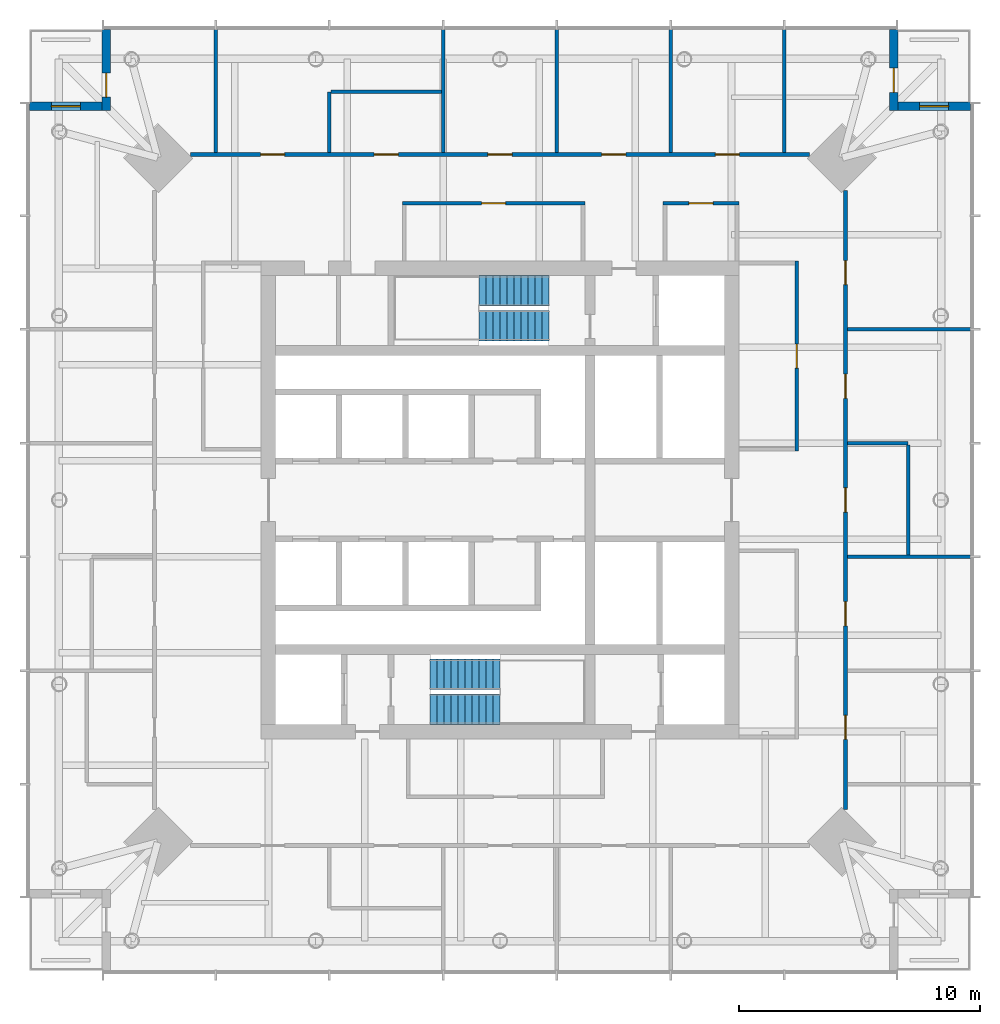
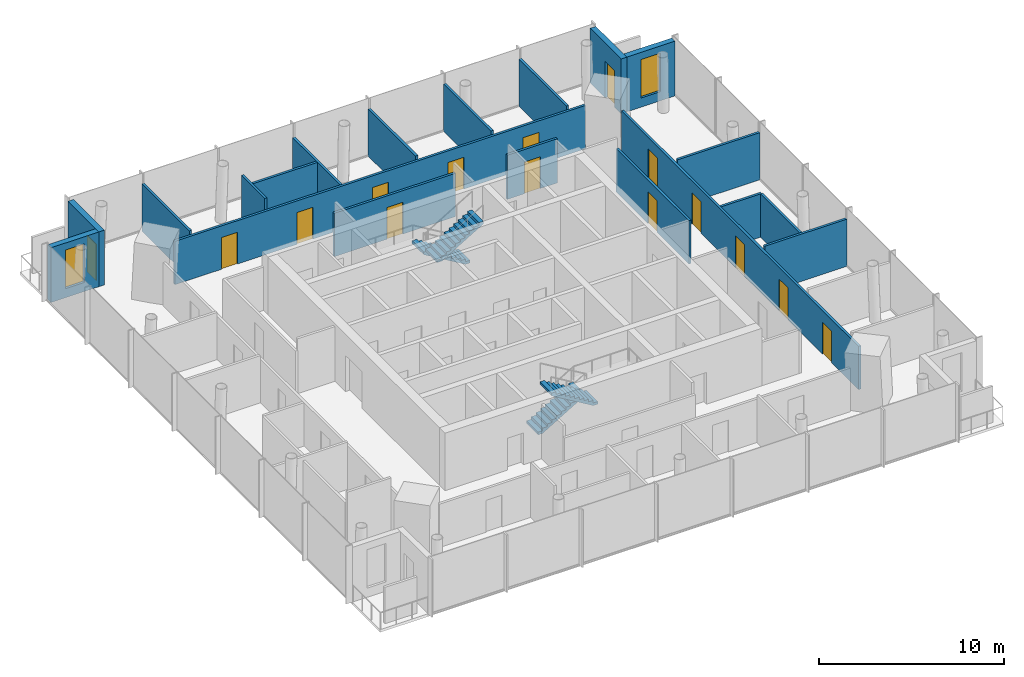
# One storey, part 6 of 7: 20 walls, 15 doors, 4 stair flights, 2 windows, 17 openings, 2 elements without a shape of their own.
"""IFC4 building model written with IfcOpenShell, lengths in metres."""

from ifc_helpers import new_model, si_unit, direction, frame, frame_2d, origin, place, context, subcontext, project, spatial, polyline, rectangle, outline, extrude, material, layer, layer_set, type_object, element, fill, aggregate, save


model = new_model("IFC4")

# Units and contexts
model_context = context("Model", 3, precision=1e-05, world=origin(), true_north=direction((0.0, 1.0)))
body_context = subcontext(model_context, "Body", "Model", "MODEL_VIEW")
ifc_project = project(units=[si_unit("LENGTHUNIT", "METRE"), si_unit("AREAUNIT", "SQUARE_METRE"), si_unit("VOLUMEUNIT", "CUBIC_METRE"), si_unit("PLANEANGLEUNIT", "RADIAN"), si_unit("MASSUNIT", "GRAM", prefix="KILO")], contexts=[model_context])

# Site, building, storey
site_placement = place(None, origin())
site = spatial("IfcSite", under=ifc_project, at=site_placement, CompositionType="ELEMENT")
building_placement = place(site_placement, origin())
building = spatial("IfcBuilding", under=site, at=building_placement, Name="Ostroluk Exchange", CompositionType="ELEMENT")
storey_placement = place(building_placement, frame((0.0, 0.0, 199.60009765625)))
storey = spatial("IfcBuildingStorey", under=building, at=storey_placement, Name="L51", CompositionType="ELEMENT", Elevation=199.60009765625)

# Wall, opening, door
ifc_material_1 = material(Name="Limestone", Category="masonry")
ifc_layer_1 = layer(ifc_material_1, 0.35009765625)
ifc_layer_set_1 = layer_set([ifc_layer_1], Name="Limestone facade wall 350")
wall_type_1 = type_object("IfcWallType", Name="Limestone facade wall 350", PredefinedType="SOLIDWALL", material=ifc_layer_set_1)
wall_1_placement = place(storey_placement, frame((61.324951171875, 65.5, 0.0), z_axis=(0.0, 0.0, 1.0), x_axis=(0.0, -1.0, 0.0)))
wall_1 = element("IfcWall", 1, at=wall_1_placement, inside=storey, type_object=wall_type_1, Name="Office tower NE corner wall L51 a", PredefinedType="SOLIDWALL", context=body_context, shape_type="SweptSolid", body=[
    extrude(rectangle(XDim=3.35009765625, YDim=0.35009765625, at=frame_2d((1.675048828125, 0.0))), origin(), (0.0, 0.0, 1.0), 3.619873046875),
])
opening_1_placement = place(wall_1_placement, frame((1.60009765625, 0.0, 0.0)))
opening_1 = element("IfcOpeningElement", 2, at=opening_1_placement, cuts=wall_1, Name="Opening D-B1", PredefinedType="OPENING", context=body_context, shape_type="SweptSolid", body=[
    extrude(rectangle(XDim=1.0, YDim=2.39990234375, at=frame_2d((0.5, 1.199951171875))), frame((0.0, 0.18505859375, 0.0), z_axis=(0.0, -1.0, 0.0), x_axis=(1.0, 0.0, 0.0)), (0.0, 0.0, 1.0), 0.3701171875),
])
ifc_material_2 = material(Name="Bronze framed glazed door", Category="aluminium")
door_type_1 = type_object("IfcDoorType", Name="Balcony door 1000 x 2400", OperationType="SINGLE_SWING_LEFT", PredefinedType="DOOR", material=ifc_material_2)
door_1_placement = place(opening_1_placement, origin())
door_1 = element("IfcDoor", 3, at=door_1_placement, inside=storey, type_object=door_type_1, Name="Office tower NE balcony door L51", OperationType="SINGLE_SWING_RIGHT", OverallHeight=2.39990234375, OverallWidth=1.0, PredefinedType="DOOR", context=body_context, shape_type="SweptSolid", body=[
    extrude(rectangle(XDim=1.0, YDim=2.39990234375, at=frame_2d((0.5, 1.199951171875))), frame((0.0, 0.02490234375, 0.0), z_axis=(0.0, -1.0, 0.0), x_axis=(1.0, 0.0, 0.0)), (0.0, 0.0, 1.0), 0.050048828125),
])
fill(opening_1, door_1)

# Wall, opening, window
wall_2_placement = place(storey_placement, frame((61.5, 62.324951171875, 0.0), z_axis=(0.0, 0.0, 1.0), x_axis=(1.0, 0.0, 0.0)))
wall_2 = element("IfcWall", 4, at=wall_2_placement, inside=storey, type_object=wall_type_1, Name="Office tower NE corner wall L51 b", PredefinedType="SOLIDWALL", context=body_context, shape_type="SweptSolid", body=[
    extrude(rectangle(XDim=3.0, YDim=0.35009765625, at=frame_2d((1.5, 0.0))), origin(), (0.0, 0.0, 1.0), 3.619873046875),
])
opening_2_placement = place(wall_2_placement, frame((0.89990234375, 0.0, 0.60009765625)))
opening_2 = element("IfcOpeningElement", 5, at=opening_2_placement, cuts=wall_2, Name="Opening WN-L1", PredefinedType="OPENING", context=body_context, shape_type="SweptSolid", body=[
    extrude(rectangle(XDim=1.199951171875, YDim=2.550048828125, at=frame_2d((0.60009765625, 1.27490234375))), frame((0.0, 0.18505859375, 0.0), z_axis=(0.0, -1.0, 0.0), x_axis=(1.0, 0.0, 0.0)), (0.0, 0.0, 1.0), 0.3701171875),
])
ifc_material_3 = material(Name="Laminated clear glass", Category="glass")
window_type = type_object("IfcWindowType", Name="Lancet window 1200 x 2550", PartitioningType="SINGLE_PANEL", PredefinedType="WINDOW", material=ifc_material_3)
window_1_placement = place(opening_2_placement, origin())
window_1 = element("IfcWindow", 6, at=window_1_placement, inside=storey, type_object=window_type, Name="Office tower NE lancet window L51", OverallHeight=2.550048828125, OverallWidth=1.199951171875, PartitioningType="SINGLE_PANEL", PredefinedType="WINDOW", context=body_context, shape_type="SweptSolid", body=[
    extrude(rectangle(XDim=1.199951171875, YDim=2.550048828125, at=frame_2d((0.60009765625, 1.27490234375))), frame((0.0, 0.030029296875, 0.0), z_axis=(0.0, -1.0, 0.0), x_axis=(1.0, 0.0, 0.0)), (0.0, 0.0, 1.0), 0.06005859375),
])
fill(opening_2, window_1)

# Wall, opening, door
wall_3_placement = place(storey_placement, frame((28.675048828125, 65.5, 0.0), z_axis=(0.0, 0.0, 1.0), x_axis=(0.0, -1.0, 0.0)))
wall_3 = element("IfcWall", 7, at=wall_3_placement, inside=storey, type_object=wall_type_1, Name="Office tower NW corner wall L51 a", PredefinedType="SOLIDWALL", context=body_context, shape_type="SweptSolid", body=[
    extrude(rectangle(XDim=3.35009765625, YDim=0.35009765625, at=frame_2d((1.675048828125, 0.0))), origin(), (0.0, 0.0, 1.0), 3.619873046875),
])
opening_3_placement = place(wall_3_placement, frame((1.800048828125, 0.0, 0.0)))
opening_3 = element("IfcOpeningElement", 8, at=opening_3_placement, cuts=wall_3, Name="Opening D-B1", PredefinedType="OPENING", context=body_context, shape_type="SweptSolid", body=[
    extrude(rectangle(XDim=1.0, YDim=2.39990234375, at=frame_2d((0.5, 1.199951171875))), frame((0.0, 0.18505859375, 0.0), z_axis=(0.0, -1.0, 0.0), x_axis=(1.0, 0.0, 0.0)), (0.0, 0.0, 1.0), 0.3701171875),
])
door_2_placement = place(opening_3_placement, origin())
door_2 = element("IfcDoor", 9, at=door_2_placement, inside=storey, type_object=door_type_1, Name="Office tower NW balcony door L51", OperationType="SINGLE_SWING_RIGHT", OverallHeight=2.39990234375, OverallWidth=1.0, PredefinedType="DOOR", context=body_context, shape_type="SweptSolid", body=[
    extrude(rectangle(XDim=1.0, YDim=2.39990234375, at=frame_2d((0.5, 1.199951171875))), frame((0.0, 0.02490234375, 0.0), z_axis=(0.0, -1.0, 0.0), x_axis=(1.0, 0.0, 0.0)), (0.0, 0.0, 1.0), 0.050048828125),
])
fill(opening_3, door_2)

# Wall, opening, window
wall_4_placement = place(storey_placement, frame((28.5, 62.324951171875, 0.0), z_axis=(0.0, 0.0, 1.0), x_axis=(-1.0, 0.0, 0.0)))
wall_4 = element("IfcWall", 10, at=wall_4_placement, inside=storey, type_object=wall_type_1, Name="Office tower NW corner wall L51 b", PredefinedType="SOLIDWALL", context=body_context, shape_type="SweptSolid", body=[
    extrude(rectangle(XDim=3.0, YDim=0.35009765625, at=frame_2d((1.5, 0.0))), origin(), (0.0, 0.0, 1.0), 3.619873046875),
])
opening_4_placement = place(wall_4_placement, frame((0.89990234375, 0.0, 0.60009765625)))
opening_4 = element("IfcOpeningElement", 11, at=opening_4_placement, cuts=wall_4, Name="Opening WN-L1", PredefinedType="OPENING", context=body_context, shape_type="SweptSolid", body=[
    extrude(rectangle(XDim=1.199951171875, YDim=2.550048828125, at=frame_2d((0.60009765625, 1.27490234375))), frame((0.0, 0.18505859375, 0.0), z_axis=(0.0, -1.0, 0.0), x_axis=(1.0, 0.0, 0.0)), (0.0, 0.0, 1.0), 0.3701171875),
])
window_2_placement = place(opening_4_placement, origin())
window_2 = element("IfcWindow", 12, at=window_2_placement, inside=storey, type_object=window_type, Name="Office tower NW lancet window L51", OverallHeight=2.550048828125, OverallWidth=1.199951171875, PartitioningType="SINGLE_PANEL", PredefinedType="WINDOW", context=body_context, shape_type="SweptSolid", body=[
    extrude(rectangle(XDim=1.199951171875, YDim=2.550048828125, at=frame_2d((0.60009765625, 1.27490234375))), frame((0.0, 0.030029296875, 0.0), z_axis=(0.0, -1.0, 0.0), x_axis=(1.0, 0.0, 0.0)), (0.0, 0.0, 1.0), 0.06005859375),
])
fill(opening_4, window_2)

# Wall, opening, door
ifc_material_4 = material(Name="Gypsum plasterboard partition", Category="gypsum")
ifc_layer_2 = layer(ifc_material_4, 0.14990234375)
ifc_layer_set_2 = layer_set([ifc_layer_2], Name="Plasterboard partition 150")
wall_type_2 = type_object("IfcWallType", Name="Plasterboard partition 150", PredefinedType="PARTITIONING", material=ifc_layer_set_2)
wall_5_placement = place(storey_placement, frame((57.300048828125, 48.02490234375, 0.0), z_axis=(0.0, 0.0, 1.0), x_axis=(0.0, 1.0, 0.0)))
wall_5 = element("IfcWall", 13, at=wall_5_placement, inside=storey, type_object=wall_type_2, Name="Partition", PredefinedType="PARTITIONING", context=body_context, shape_type="SweptSolid", body=[
    extrude(rectangle(XDim=7.875, YDim=0.14990234375, at=frame_2d((3.9375, 0.0))), origin(), (0.0, 0.0, 1.0), 2.866943359375),
])
opening_5_placement = place(wall_5_placement, frame((3.4375, 0.0, 0.0)))
opening_5 = element("IfcOpeningElement", 14, at=opening_5_placement, cuts=wall_5, Name="Opening D-03", PredefinedType="OPENING", context=body_context, shape_type="SweptSolid", body=[
    extrude(rectangle(XDim=1.0, YDim=2.10009765625, at=frame_2d((0.5, 1.050048828125))), frame((0.0, 0.0849609375, 0.0), z_axis=(0.0, -1.0, 0.0), x_axis=(1.0, 0.0, 0.0)), (0.0, 0.0, 1.0), 0.169921875),
])
ifc_material_5 = material(Name="Timber", Category="wood")
door_type_2 = type_object("IfcDoorType", Name="Internal door 1000 x 2100", OperationType="SINGLE_SWING_LEFT", PredefinedType="DOOR", material=ifc_material_5)
door_3_placement = place(opening_5_placement, origin())
door_3 = element("IfcDoor", 15, at=door_3_placement, inside=storey, type_object=door_type_2, Name="Staff room door", OperationType="SINGLE_SWING_LEFT", OverallHeight=2.10009765625, OverallWidth=1.0, PredefinedType="DOOR", context=body_context, shape_type="SweptSolid", body=[
    extrude(rectangle(XDim=1.0, YDim=2.10009765625, at=frame_2d((0.5, 1.050048828125))), frame((0.0, 0.02490234375, 0.0), z_axis=(0.0, -1.0, 0.0), x_axis=(1.0, 0.0, 0.0)), (0.0, 0.0, 1.0), 0.050048828125),
])
fill(opening_5, door_3)

wall_6_placement = place(storey_placement, frame((54.89990234375, 58.300048828125, 0.0), z_axis=(0.0, 0.0, 1.0), x_axis=(-1.0, 0.0, 0.0)))
wall_6 = element("IfcWall", 16, at=wall_6_placement, inside=storey, type_object=wall_type_2, Name="Partition", PredefinedType="PARTITIONING", context=body_context, shape_type="SweptSolid", body=[
    extrude(rectangle(XDim=3.135009765625, YDim=0.14990234375, at=frame_2d((1.5673828125, 0.0))), origin(), (0.0, 0.0, 1.0), 2.919921875),
])
opening_6_placement = place(wall_6_placement, frame((1.0673828125, 0.0, 0.0)))
opening_6 = element("IfcOpeningElement", 17, at=opening_6_placement, cuts=wall_6, Name="Opening D-03", PredefinedType="OPENING", context=body_context, shape_type="SweptSolid", body=[
    extrude(rectangle(XDim=1.0, YDim=2.10009765625, at=frame_2d((0.5, 1.050048828125))), frame((0.0, 0.0849609375, 0.0), z_axis=(0.0, -1.0, 0.0), x_axis=(1.0, 0.0, 0.0)), (0.0, 0.0, 1.0), 0.169921875),
])
door_4_placement = place(opening_6_placement, origin())
door_4 = element("IfcDoor", 18, at=door_4_placement, inside=storey, type_object=door_type_2, Name="Staff room door", OperationType="SINGLE_SWING_RIGHT", OverallHeight=2.10009765625, OverallWidth=1.0, PredefinedType="DOOR", context=body_context, shape_type="SweptSolid", body=[
    extrude(rectangle(XDim=1.0, YDim=2.10009765625, at=frame_2d((0.5, 1.050048828125))), frame((0.0, 0.02490234375, 0.0), z_axis=(0.0, -1.0, 0.0), x_axis=(1.0, 0.0, 0.0)), (0.0, 0.0, 1.0), 0.050048828125),
])
fill(opening_6, door_4)

wall_7_placement = place(storey_placement, frame((48.514892578125, 58.300048828125, 0.0), z_axis=(0.0, 0.0, 1.0), x_axis=(-1.0, 0.0, 0.0)))
wall_7 = element("IfcWall", 19, at=wall_7_placement, inside=storey, type_object=wall_type_2, Name="Partition", PredefinedType="PARTITIONING", context=body_context, shape_type="SweptSolid", body=[
    extrude(rectangle(XDim=7.56298828125, YDim=0.14990234375, at=frame_2d((3.781494140625, 0.0))), origin(), (0.0, 0.0, 1.0), 2.866943359375),
])
opening_7_placement = place(wall_7_placement, frame((3.281494140625, 0.0, 0.0)))
opening_7 = element("IfcOpeningElement", 20, at=opening_7_placement, cuts=wall_7, Name="Opening D-03", PredefinedType="OPENING", context=body_context, shape_type="SweptSolid", body=[
    extrude(rectangle(XDim=1.0, YDim=2.10009765625, at=frame_2d((0.5, 1.050048828125))), frame((0.0, 0.0849609375, 0.0), z_axis=(0.0, -1.0, 0.0), x_axis=(1.0, 0.0, 0.0)), (0.0, 0.0, 1.0), 0.169921875),
])
door_5_placement = place(opening_7_placement, origin())
door_5 = element("IfcDoor", 21, at=door_5_placement, inside=storey, type_object=door_type_2, Name="Staff room door", OperationType="SINGLE_SWING_LEFT", OverallHeight=2.10009765625, OverallWidth=1.0, PredefinedType="DOOR", context=body_context, shape_type="SweptSolid", body=[
    extrude(rectangle(XDim=1.0, YDim=2.10009765625, at=frame_2d((0.5, 1.050048828125))), frame((0.0, 0.02490234375, 0.0), z_axis=(0.0, -1.0, 0.0), x_axis=(1.0, 0.0, 0.0)), (0.0, 0.0, 1.0), 0.050048828125),
])
fill(opening_7, door_5)

# Wall
wall_8_placement = place(storey_placement, frame((61.925048828125, 43.7177734375, 0.0), z_axis=(0.0, 0.0, 1.0), x_axis=(0.0, 1.0, 0.0)))
element("IfcWall", 22, at=wall_8_placement, inside=storey, type_object=wall_type_2, Name="Partition", PredefinedType="PARTITIONING", context=body_context, shape_type="SweptSolid", body=[
    extrude(rectangle(XDim=4.564453125, YDim=0.14990234375, at=frame_2d((2.2822265625, 0.0))), origin(), (0.0, 0.0, 1.0), 2.866943359375),
])

# Wall, openings, doors
wall_9_placement = place(storey_placement, frame((59.324951171875, 33.164306640625, 0.0), z_axis=(0.0, 0.0, 1.0), x_axis=(0.0, 1.0, 0.0)))
wall_9 = element("IfcWall", 23, at=wall_9_placement, inside=storey, type_object=wall_type_2, Name="Partition", PredefinedType="PARTITIONING", context=body_context, shape_type="SweptSolid", body=[
    extrude(rectangle(XDim=25.67138671875, YDim=0.14990234375, at=frame_2d((12.835693359375, 0.0))), origin(), (0.0, 0.0, 1.0), 2.866943359375),
])
opening_8_placement = place(wall_9_placement, frame((2.9072265625, 0.0, 0.0)))
opening_8 = element("IfcOpeningElement", 24, at=opening_8_placement, cuts=wall_9, Name="Opening D-03", PredefinedType="OPENING", context=body_context, shape_type="SweptSolid", body=[
    extrude(rectangle(XDim=1.0, YDim=2.10009765625, at=frame_2d((0.5, 1.050048828125))), frame((0.0, 0.0849609375, 0.0), z_axis=(0.0, -1.0, 0.0), x_axis=(1.0, 0.0, 0.0)), (0.0, 0.0, 1.0), 0.169921875),
])
opening_9_placement = place(wall_9_placement, frame((7.62158203125, 0.0, 0.0)))
opening_9 = element("IfcOpeningElement", 25, at=opening_9_placement, cuts=wall_9, Name="Opening D-03", PredefinedType="OPENING", context=body_context, shape_type="SweptSolid", body=[
    extrude(rectangle(XDim=1.0, YDim=2.10009765625, at=frame_2d((0.5, 1.050048828125))), frame((0.0, 0.0849609375, 0.0), z_axis=(0.0, -1.0, 0.0), x_axis=(1.0, 0.0, 0.0)), (0.0, 0.0, 1.0), 0.169921875),
])
opening_10_placement = place(wall_9_placement, frame((12.335693359375, 0.0, 0.0)))
opening_10 = element("IfcOpeningElement", 26, at=opening_10_placement, cuts=wall_9, Name="Opening D-03", PredefinedType="OPENING", context=body_context, shape_type="SweptSolid", body=[
    extrude(rectangle(XDim=1.0, YDim=2.10009765625, at=frame_2d((0.5, 1.050048828125))), frame((0.0, 0.0849609375, 0.0), z_axis=(0.0, -1.0, 0.0), x_axis=(1.0, 0.0, 0.0)), (0.0, 0.0, 1.0), 0.169921875),
])
opening_11_placement = place(wall_9_placement, frame((17.050048828125, 0.0, 0.0)))
opening_11 = element("IfcOpeningElement", 27, at=opening_11_placement, cuts=wall_9, Name="Opening D-03", PredefinedType="OPENING", context=body_context, shape_type="SweptSolid", body=[
    extrude(rectangle(XDim=1.0, YDim=2.10009765625, at=frame_2d((0.5, 1.050048828125))), frame((0.0, 0.0849609375, 0.0), z_axis=(0.0, -1.0, 0.0), x_axis=(1.0, 0.0, 0.0)), (0.0, 0.0, 1.0), 0.169921875),
])
opening_12_placement = place(wall_9_placement, frame((21.764404296875, 0.0, 0.0)))
opening_12 = element("IfcOpeningElement", 28, at=opening_12_placement, cuts=wall_9, Name="Opening D-03", PredefinedType="OPENING", context=body_context, shape_type="SweptSolid", body=[
    extrude(rectangle(XDim=1.0, YDim=2.10009765625, at=frame_2d((0.5, 1.050048828125))), frame((0.0, 0.0849609375, 0.0), z_axis=(0.0, -1.0, 0.0), x_axis=(1.0, 0.0, 0.0)), (0.0, 0.0, 1.0), 0.169921875),
])
door_6_placement = place(opening_8_placement, origin())
door_6 = element("IfcDoor", 29, at=door_6_placement, inside=storey, type_object=door_type_2, Name="Office door", OperationType="SINGLE_SWING_LEFT", OverallHeight=2.10009765625, OverallWidth=1.0, PredefinedType="DOOR", context=body_context, shape_type="SweptSolid", body=[
    extrude(rectangle(XDim=1.0, YDim=2.10009765625, at=frame_2d((0.5, 1.050048828125))), frame((0.0, 0.02490234375, 0.0), z_axis=(0.0, -1.0, 0.0), x_axis=(1.0, 0.0, 0.0)), (0.0, 0.0, 1.0), 0.050048828125),
])
fill(opening_8, door_6)
door_7_placement = place(opening_9_placement, origin())
door_7 = element("IfcDoor", 30, at=door_7_placement, inside=storey, type_object=door_type_2, Name="Meeting room door", OperationType="SINGLE_SWING_LEFT", OverallHeight=2.10009765625, OverallWidth=1.0, PredefinedType="DOOR", context=body_context, shape_type="SweptSolid", body=[
    extrude(rectangle(XDim=1.0, YDim=2.10009765625, at=frame_2d((0.5, 1.050048828125))), frame((0.0, 0.02490234375, 0.0), z_axis=(0.0, -1.0, 0.0), x_axis=(1.0, 0.0, 0.0)), (0.0, 0.0, 1.0), 0.050048828125),
])
fill(opening_9, door_7)
door_8_placement = place(opening_10_placement, origin())
door_8 = element("IfcDoor", 31, at=door_8_placement, inside=storey, type_object=door_type_2, Name="Pantry door", OperationType="SINGLE_SWING_LEFT", OverallHeight=2.10009765625, OverallWidth=1.0, PredefinedType="DOOR", context=body_context, shape_type="SweptSolid", body=[
    extrude(rectangle(XDim=1.0, YDim=2.10009765625, at=frame_2d((0.5, 1.050048828125))), frame((0.0, 0.02490234375, 0.0), z_axis=(0.0, -1.0, 0.0), x_axis=(1.0, 0.0, 0.0)), (0.0, 0.0, 1.0), 0.050048828125),
])
fill(opening_10, door_8)
door_9_placement = place(opening_11_placement, origin())
door_9 = element("IfcDoor", 32, at=door_9_placement, inside=storey, type_object=door_type_2, Name="Office door", OperationType="SINGLE_SWING_RIGHT", OverallHeight=2.10009765625, OverallWidth=1.0, PredefinedType="DOOR", context=body_context, shape_type="SweptSolid", body=[
    extrude(rectangle(XDim=1.0, YDim=2.10009765625, at=frame_2d((0.5, 1.050048828125))), frame((0.0, 0.02490234375, 0.0), z_axis=(0.0, -1.0, 0.0), x_axis=(1.0, 0.0, 0.0)), (0.0, 0.0, 1.0), 0.050048828125),
])
fill(opening_11, door_9)
door_10_placement = place(opening_12_placement, origin())
door_10 = element("IfcDoor", 33, at=door_10_placement, inside=storey, type_object=door_type_2, Name="Office door", OperationType="SINGLE_SWING_RIGHT", OverallHeight=2.10009765625, OverallWidth=1.0, PredefinedType="DOOR", context=body_context, shape_type="SweptSolid", body=[
    extrude(rectangle(XDim=1.0, YDim=2.10009765625, at=frame_2d((0.5, 1.050048828125))), frame((0.0, 0.02490234375, 0.0), z_axis=(0.0, -1.0, 0.0), x_axis=(1.0, 0.0, 0.0)), (0.0, 0.0, 1.0), 0.050048828125),
])
fill(opening_12, door_10)

# Walls
wall_10_placement = place(storey_placement, frame((59.39990234375, 43.642822265625, 0.0), z_axis=(0.0, 0.0, 1.0), x_axis=(1.0, 0.0, 0.0)))
element("IfcWall", 34, at=wall_10_placement, inside=storey, type_object=wall_type_2, Name="Partition", PredefinedType="PARTITIONING", context=body_context, shape_type="SweptSolid", body=[
    extrude(rectangle(XDim=5.14013671875, YDim=0.14990234375, at=frame_2d((2.570068359375, 0.0))), origin(), (0.0, 0.0, 1.0), 3.119873046875),
])
wall_11_placement = place(storey_placement, frame((59.39990234375, 48.357177734375, 0.0), z_axis=(0.0, 0.0, 1.0), x_axis=(1.0, 0.0, 0.0)))
element("IfcWall", 35, at=wall_11_placement, inside=storey, type_object=wall_type_2, Name="Partition", PredefinedType="PARTITIONING", context=body_context, shape_type="SweptSolid", body=[
    extrude(rectangle(XDim=2.525146484375, YDim=0.14990234375, at=frame_2d((1.2626953125, 0.0))), origin(), (0.0, 0.0, 1.0), 2.866943359375),
])
wall_12_placement = place(storey_placement, frame((59.39990234375, 53.071533203125, 0.0), z_axis=(0.0, 0.0, 1.0), x_axis=(1.0, 0.0, 0.0)))
element("IfcWall", 36, at=wall_12_placement, inside=storey, type_object=wall_type_2, Name="Partition", PredefinedType="PARTITIONING", context=body_context, shape_type="SweptSolid", body=[
    extrude(rectangle(XDim=5.14013671875, YDim=0.14990234375, at=frame_2d((2.570068359375, 0.0))), origin(), (0.0, 0.0, 1.0), 3.119873046875),
])
wall_13_placement = place(storey_placement, frame((42.56787109375, 62.925048828125, 0.0), z_axis=(0.0, 0.0, 1.0), x_axis=(-1.0, 0.0, 0.0)))
element("IfcWall", 37, at=wall_13_placement, inside=storey, type_object=wall_type_2, Name="Partition", PredefinedType="PARTITIONING", context=body_context, shape_type="SweptSolid", body=[
    extrude(rectangle(XDim=4.564208984375, YDim=0.14990234375, at=frame_2d((2.2822265625, 0.0))), origin(), (0.0, 0.0, 1.0), 2.866943359375),
])

# Wall, openings, doors
wall_14_placement = place(storey_placement, frame((57.835693359375, 60.324951171875, 0.0), z_axis=(0.0, 0.0, 1.0), x_axis=(-1.0, 0.0, 0.0)))
wall_14 = element("IfcWall", 38, at=wall_14_placement, inside=storey, type_object=wall_type_2, Name="Partition", PredefinedType="PARTITIONING", context=body_context, shape_type="SweptSolid", body=[
    extrude(rectangle(XDim=25.67138671875, YDim=0.14990234375, at=frame_2d((12.835693359375, 0.0))), origin(), (0.0, 0.0, 1.0), 2.866943359375),
])
opening_13_placement = place(wall_14_placement, frame((2.9072265625, 0.0, 0.0)))
opening_13 = element("IfcOpeningElement", 39, at=opening_13_placement, cuts=wall_14, Name="Opening D-03", PredefinedType="OPENING", context=body_context, shape_type="SweptSolid", body=[
    extrude(rectangle(XDim=1.0, YDim=2.10009765625, at=frame_2d((0.5, 1.050048828125))), frame((0.0, 0.0849609375, 0.0), z_axis=(0.0, -1.0, 0.0), x_axis=(1.0, 0.0, 0.0)), (0.0, 0.0, 1.0), 0.169921875),
])
opening_14_placement = place(wall_14_placement, frame((7.62158203125, 0.0, 0.0)))
opening_14 = element("IfcOpeningElement", 40, at=opening_14_placement, cuts=wall_14, Name="Opening D-03", PredefinedType="OPENING", context=body_context, shape_type="SweptSolid", body=[
    extrude(rectangle(XDim=1.0, YDim=2.10009765625, at=frame_2d((0.5, 1.050048828125))), frame((0.0, 0.0849609375, 0.0), z_axis=(0.0, -1.0, 0.0), x_axis=(1.0, 0.0, 0.0)), (0.0, 0.0, 1.0), 0.169921875),
])
opening_15_placement = place(wall_14_placement, frame((12.335693359375, 0.0, 0.0)))
opening_15 = element("IfcOpeningElement", 41, at=opening_15_placement, cuts=wall_14, Name="Opening D-03", PredefinedType="OPENING", context=body_context, shape_type="SweptSolid", body=[
    extrude(rectangle(XDim=1.0, YDim=2.10009765625, at=frame_2d((0.5, 1.050048828125))), frame((0.0, 0.0849609375, 0.0), z_axis=(0.0, -1.0, 0.0), x_axis=(1.0, 0.0, 0.0)), (0.0, 0.0, 1.0), 0.169921875),
])
opening_16_placement = place(wall_14_placement, frame((17.050048828125, 0.0, 0.0)))
opening_16 = element("IfcOpeningElement", 42, at=opening_16_placement, cuts=wall_14, Name="Opening D-03", PredefinedType="OPENING", context=body_context, shape_type="SweptSolid", body=[
    extrude(rectangle(XDim=1.0, YDim=2.10009765625, at=frame_2d((0.5, 1.050048828125))), frame((0.0, 0.0849609375, 0.0), z_axis=(0.0, -1.0, 0.0), x_axis=(1.0, 0.0, 0.0)), (0.0, 0.0, 1.0), 0.169921875),
])
opening_17_placement = place(wall_14_placement, frame((21.764404296875, 0.0, 0.0)))
opening_17 = element("IfcOpeningElement", 43, at=opening_17_placement, cuts=wall_14, Name="Opening D-03", PredefinedType="OPENING", context=body_context, shape_type="SweptSolid", body=[
    extrude(rectangle(XDim=1.0, YDim=2.10009765625, at=frame_2d((0.5, 1.050048828125))), frame((0.0, 0.0849609375, 0.0), z_axis=(0.0, -1.0, 0.0), x_axis=(1.0, 0.0, 0.0)), (0.0, 0.0, 1.0), 0.169921875),
])
door_11_placement = place(opening_13_placement, origin())
door_11 = element("IfcDoor", 44, at=door_11_placement, inside=storey, type_object=door_type_2, Name="Office door", OperationType="SINGLE_SWING_LEFT", OverallHeight=2.10009765625, OverallWidth=1.0, PredefinedType="DOOR", context=body_context, shape_type="SweptSolid", body=[
    extrude(rectangle(XDim=1.0, YDim=2.10009765625, at=frame_2d((0.5, 1.050048828125))), frame((0.0, 0.02490234375, 0.0), z_axis=(0.0, -1.0, 0.0), x_axis=(1.0, 0.0, 0.0)), (0.0, 0.0, 1.0), 0.050048828125),
])
fill(opening_13, door_11)
door_12_placement = place(opening_14_placement, origin())
door_12 = element("IfcDoor", 45, at=door_12_placement, inside=storey, type_object=door_type_2, Name="Office door", OperationType="SINGLE_SWING_LEFT", OverallHeight=2.10009765625, OverallWidth=1.0, PredefinedType="DOOR", context=body_context, shape_type="SweptSolid", body=[
    extrude(rectangle(XDim=1.0, YDim=2.10009765625, at=frame_2d((0.5, 1.050048828125))), frame((0.0, 0.02490234375, 0.0), z_axis=(0.0, -1.0, 0.0), x_axis=(1.0, 0.0, 0.0)), (0.0, 0.0, 1.0), 0.050048828125),
])
fill(opening_14, door_12)
door_13_placement = place(opening_15_placement, origin())
door_13 = element("IfcDoor", 46, at=door_13_placement, inside=storey, type_object=door_type_2, Name="Meeting room door", OperationType="SINGLE_SWING_LEFT", OverallHeight=2.10009765625, OverallWidth=1.0, PredefinedType="DOOR", context=body_context, shape_type="SweptSolid", body=[
    extrude(rectangle(XDim=1.0, YDim=2.10009765625, at=frame_2d((0.5, 1.050048828125))), frame((0.0, 0.02490234375, 0.0), z_axis=(0.0, -1.0, 0.0), x_axis=(1.0, 0.0, 0.0)), (0.0, 0.0, 1.0), 0.050048828125),
])
fill(opening_15, door_13)
door_14_placement = place(opening_16_placement, origin())
door_14 = element("IfcDoor", 47, at=door_14_placement, inside=storey, type_object=door_type_2, Name="Pantry door", OperationType="SINGLE_SWING_RIGHT", OverallHeight=2.10009765625, OverallWidth=1.0, PredefinedType="DOOR", context=body_context, shape_type="SweptSolid", body=[
    extrude(rectangle(XDim=1.0, YDim=2.10009765625, at=frame_2d((0.5, 1.050048828125))), frame((0.0, 0.02490234375, 0.0), z_axis=(0.0, -1.0, 0.0), x_axis=(1.0, 0.0, 0.0)), (0.0, 0.0, 1.0), 0.050048828125),
])
fill(opening_16, door_14)
door_15_placement = place(opening_17_placement, origin())
door_15 = element("IfcDoor", 48, at=door_15_placement, inside=storey, type_object=door_type_2, Name="Office door", OperationType="SINGLE_SWING_RIGHT", OverallHeight=2.10009765625, OverallWidth=1.0, PredefinedType="DOOR", context=body_context, shape_type="SweptSolid", body=[
    extrude(rectangle(XDim=1.0, YDim=2.10009765625, at=frame_2d((0.5, 1.050048828125))), frame((0.0, 0.02490234375, 0.0), z_axis=(0.0, -1.0, 0.0), x_axis=(1.0, 0.0, 0.0)), (0.0, 0.0, 1.0), 0.050048828125),
])
fill(opening_17, door_15)

# Walls
for number, where, z_axis, x_axis, name in (
    (49, (56.78564453125, 60.39990234375, 0.0), (0.0, 0.0, 1.0), (0.0, 1.0, 0.0), "Partition"),
    (50, (52.071533203125, 60.39990234375, 0.0), (0.0, 0.0, 1.0), (0.0, 1.0, 0.0), "Partition"),
    (51, (47.357177734375, 60.39990234375, 0.0), (0.0, 0.0, 1.0), (0.0, 1.0, 0.0), "Partition"),
):
    element("IfcWall", number, at=place(storey_placement, frame(where, z_axis=z_axis, x_axis=x_axis)), inside=storey, type_object=wall_type_2, Name=name, PredefinedType="PARTITIONING", context=body_context, shape_type="SweptSolid", body=[
        extrude(rectangle(XDim=5.14013671875, YDim=0.14990234375, at=frame_2d((2.570068359375, 0.0))), origin(), (0.0, 0.0, 1.0), 3.119873046875),
    ])
wall_15_placement = place(storey_placement, frame((42.642822265625, 60.39990234375, 0.0), z_axis=(0.0, 0.0, 1.0), x_axis=(0.0, 1.0, 0.0)))
element("IfcWall", 52, at=wall_15_placement, inside=storey, type_object=wall_type_2, Name="Partition", PredefinedType="PARTITIONING", context=body_context, shape_type="SweptSolid", body=[
    extrude(rectangle(XDim=5.14013671875, YDim=0.14990234375, at=frame_2d((2.570068359375, 0.0))), origin(), (0.0, 0.0, 1.0), 2.866943359375),
])
wall_16_placement = place(storey_placement, frame((37.928466796875, 60.39990234375, 0.0), z_axis=(0.0, 0.0, 1.0), x_axis=(0.0, 1.0, 0.0)))
element("IfcWall", 53, at=wall_16_placement, inside=storey, type_object=wall_type_2, Name="Partition", PredefinedType="PARTITIONING", context=body_context, shape_type="SweptSolid", body=[
    extrude(rectangle(XDim=2.525146484375, YDim=0.14990234375, at=frame_2d((1.2626953125, 0.0))), origin(), (0.0, 0.0, 1.0), 3.619873046875),
])
wall_17_placement = place(storey_placement, frame((33.21435546875, 60.39990234375, 0.0), z_axis=(0.0, 0.0, 1.0), x_axis=(0.0, 1.0, 0.0)))
element("IfcWall", 54, at=wall_17_placement, inside=storey, type_object=wall_type_2, Name="Partition", PredefinedType="PARTITIONING", context=body_context, shape_type="SweptSolid", body=[
    extrude(rectangle(XDim=5.14013671875, YDim=0.14990234375, at=frame_2d((2.570068359375, 0.0))), origin(), (0.0, 0.0, 1.0), 3.119873046875),
])

# Stair, stair flights
ifc_material_6 = material(Name="Concrete C30/37", Category="concrete")
stair_type = type_object("IfcStairType", Name="Exit stair half turn 3800", PredefinedType="HALF_TURN_STAIR", material=ifc_material_6)
stair_1_placement = place(storey_placement, origin())
stair_1 = element("IfcStair", 55, at=stair_1_placement, inside=storey, type_object=stair_type, Name="Stair T1-S1 L51", PredefinedType="HALF_TURN_STAIR")
ifc_material_7 = material(Name="Concrete C30/37", Category="concrete")
stair_flight_type = type_object("IfcStairFlightType", Name="Stair flight 11 risers 172.7 x 290", PredefinedType="STRAIGHT", material=ifc_material_7)
stair_flight_1_placement = place(storey_placement, frame((42.10009765625, 38.77490234375, 0.0), z_axis=(0.0, 0.0, 1.0), x_axis=(1.0, 0.0, 0.0)))
stair_flight_1 = element("IfcStairFlight", 56, at=stair_flight_1_placement, type_object=stair_flight_type, Name="T1-S1 flight 1", NumberOfRisers=11, NumberOfTreads=10, PredefinedType="STRAIGHT", RiserHeight=0.172727273, TreadLength=0.29, context=body_context, shape_type="SweptSolid", body=[
    extrude(outline(polyline([(0.0, 0.0), (0.0, 0.172607421875), (0.2900390625, 0.172607421875), (0.2900390625, 0.345458984375), (0.580078125, 0.345458984375), (0.580078125, 0.51806640625), (0.8701171875, 0.51806640625), (0.8701171875, 0.69091796875), (1.159912109375, 0.69091796875), (1.159912109375, 0.863525390625), (1.449951171875, 0.863525390625), (1.449951171875, 1.036376953125), (1.739990234375, 1.036376953125), (1.739990234375, 1.208984375), (2.030029296875, 1.208984375), (2.030029296875, 1.3818359375), (2.320068359375, 1.3818359375), (2.320068359375, 1.554443359375), (2.610107421875, 1.554443359375), (2.610107421875, 1.727294921875), (2.89990234375, 1.727294921875), (2.89990234375, 1.89990234375), (2.89990234375, 1.552734375), (0.29296875, 0.0), (0.0, 0.0)])), frame((0.0, 0.625, 0.0), z_axis=(0.0, -1.0, 0.0), x_axis=(1.0, 0.0, 0.0)), (0.0, 0.0, 1.0), 1.25),
])
stair_flight_2_placement = place(storey_placement, frame((45.0, 37.324951171875, 1.89990234375), z_axis=(0.0, 0.0, 1.0), x_axis=(-1.0, 0.0, 0.0)))
stair_flight_2 = element("IfcStairFlight", 57, at=stair_flight_2_placement, type_object=stair_flight_type, Name="T1-S1 flight 2", NumberOfRisers=11, NumberOfTreads=10, PredefinedType="STRAIGHT", RiserHeight=0.172727273, TreadLength=0.29, context=body_context, shape_type="SweptSolid", body=[
    extrude(outline(polyline([(0.0, 0.0), (0.0, 0.172607421875), (0.2900390625, 0.172607421875), (0.2900390625, 0.345458984375), (0.580078125, 0.345458984375), (0.580078125, 0.51806640625), (0.8701171875, 0.51806640625), (0.8701171875, 0.69091796875), (1.159912109375, 0.69091796875), (1.159912109375, 0.863525390625), (1.449951171875, 0.863525390625), (1.449951171875, 1.036376953125), (1.739990234375, 1.036376953125), (1.739990234375, 1.208984375), (2.030029296875, 1.208984375), (2.030029296875, 1.3818359375), (2.320068359375, 1.3818359375), (2.320068359375, 1.554443359375), (2.610107421875, 1.554443359375), (2.610107421875, 1.727294921875), (2.89990234375, 1.727294921875), (2.89990234375, 1.89990234375), (2.89990234375, 1.552734375), (0.29296875, 0.0), (0.0, 0.0)])), frame((0.0, 0.625, 0.0), z_axis=(0.0, -1.0, 0.0), x_axis=(1.0, 0.0, 0.0)), (0.0, 0.0, 1.0), 1.25),
])
aggregate(stair_1, [stair_flight_1, stair_flight_2])

stair_2_placement = place(storey_placement, origin())
stair_2 = element("IfcStair", 58, at=stair_2_placement, inside=storey, type_object=stair_type, Name="Stair T1-S2 L51", PredefinedType="HALF_TURN_STAIR")
stair_flight_3_placement = place(storey_placement, frame((47.030029296875, 54.675048828125, 0.0), z_axis=(0.0, 0.0, 1.0), x_axis=(-1.0, 0.0, 0.0)))
stair_flight_3 = element("IfcStairFlight", 59, at=stair_flight_3_placement, type_object=stair_flight_type, Name="T1-S2 flight 1", NumberOfRisers=11, NumberOfTreads=10, PredefinedType="STRAIGHT", RiserHeight=0.172727273, TreadLength=0.29, context=body_context, shape_type="SweptSolid", body=[
    extrude(outline(polyline([(0.0, 0.0), (0.0, 0.172607421875), (0.2900390625, 0.172607421875), (0.2900390625, 0.345458984375), (0.580078125, 0.345458984375), (0.580078125, 0.51806640625), (0.8701171875, 0.51806640625), (0.8701171875, 0.69091796875), (1.159912109375, 0.69091796875), (1.159912109375, 0.863525390625), (1.449951171875, 0.863525390625), (1.449951171875, 1.036376953125), (1.739990234375, 1.036376953125), (1.739990234375, 1.208984375), (2.030029296875, 1.208984375), (2.030029296875, 1.3818359375), (2.320068359375, 1.3818359375), (2.320068359375, 1.554443359375), (2.610107421875, 1.554443359375), (2.610107421875, 1.727294921875), (2.89990234375, 1.727294921875), (2.89990234375, 1.89990234375), (2.89990234375, 1.552734375), (0.29296875, 0.0), (0.0, 0.0)])), frame((0.0, 0.625, 0.0), z_axis=(0.0, -1.0, 0.0), x_axis=(1.0, 0.0, 0.0)), (0.0, 0.0, 1.0), 1.25),
])
stair_flight_4_placement = place(storey_placement, frame((44.1298828125, 53.22509765625, 1.89990234375), z_axis=(0.0, 0.0, 1.0), x_axis=(1.0, 0.0, 0.0)))
stair_flight_4 = element("IfcStairFlight", 60, at=stair_flight_4_placement, type_object=stair_flight_type, Name="T1-S2 flight 2", NumberOfRisers=11, NumberOfTreads=10, PredefinedType="STRAIGHT", RiserHeight=0.172727273, TreadLength=0.29, context=body_context, shape_type="SweptSolid", body=[
    extrude(outline(polyline([(0.0, 0.0), (0.0, 0.172607421875), (0.2900390625, 0.172607421875), (0.2900390625, 0.345458984375), (0.580078125, 0.345458984375), (0.580078125, 0.51806640625), (0.8701171875, 0.51806640625), (0.8701171875, 0.69091796875), (1.159912109375, 0.69091796875), (1.159912109375, 0.863525390625), (1.449951171875, 0.863525390625), (1.449951171875, 1.036376953125), (1.739990234375, 1.036376953125), (1.739990234375, 1.208984375), (2.030029296875, 1.208984375), (2.030029296875, 1.3818359375), (2.320068359375, 1.3818359375), (2.320068359375, 1.554443359375), (2.610107421875, 1.554443359375), (2.610107421875, 1.727294921875), (2.89990234375, 1.727294921875), (2.89990234375, 1.89990234375), (2.89990234375, 1.552734375), (0.29296875, 0.0), (0.0, 0.0)])), frame((0.0, 0.625, 0.0), z_axis=(0.0, -1.0, 0.0), x_axis=(1.0, 0.0, 0.0)), (0.0, 0.0, 1.0), 1.25),
])
aggregate(stair_2, [stair_flight_3, stair_flight_4])

save(model, "model.ifc")
